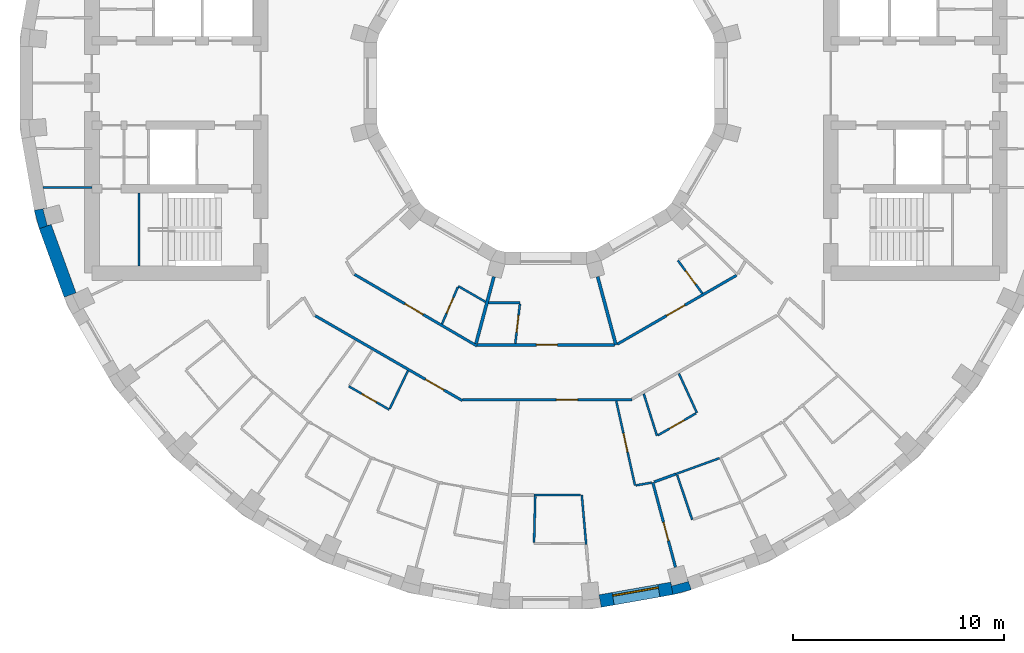
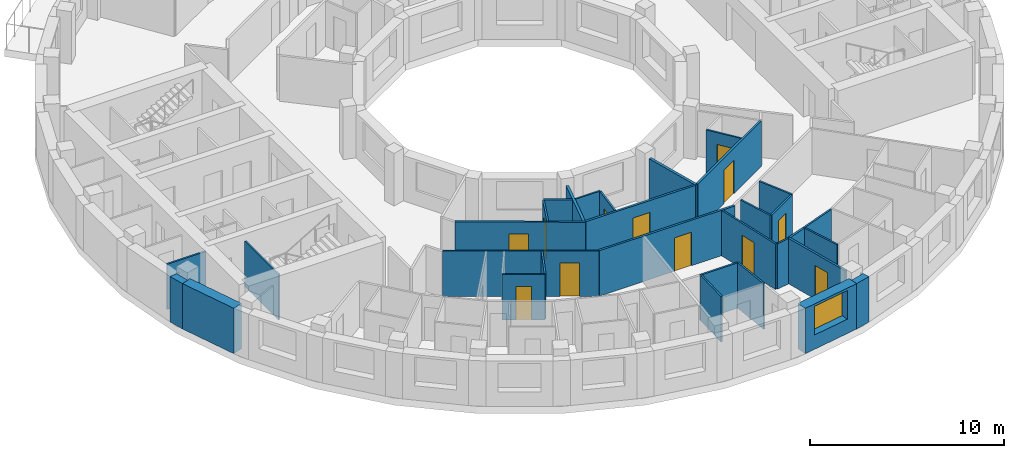
# One storey, part 5 of 14: 32 walls, 12 doors, 1 window, 13 openings.
"""IFC4 building model written with IfcOpenShell, lengths in metres."""

from ifc_helpers import new_model, si_unit, direction, frame, frame_2d, origin, place, context, subcontext, project, spatial, polyline, rectangle, outline, extrude, material, layer, layer_set, type_object, element, fill, save


model = new_model("IFC4")

# Units and contexts
model_context = context("Model", 3, precision=1e-05, world=origin(), true_north=direction((0.0, 1.0)))
body_context = subcontext(model_context, "Body", "Model", "MODEL_VIEW")
ifc_project = project(units=[si_unit("LENGTHUNIT", "METRE"), si_unit("AREAUNIT", "SQUARE_METRE"), si_unit("VOLUMEUNIT", "CUBIC_METRE"), si_unit("PLANEANGLEUNIT", "RADIAN"), si_unit("MASSUNIT", "GRAM", prefix="KILO")], contexts=[model_context])

# Site, building, storey
site_placement = place(None, origin())
site = spatial("IfcSite", under=ifc_project, at=site_placement, CompositionType="ELEMENT")
building_placement = place(site_placement, origin())
building = spatial("IfcBuilding", under=site, at=building_placement, Name="Saqina Gate Tower", CompositionType="ELEMENT")
storey_placement = place(building_placement, frame((0.0, 0.0, 213.60009765625)))
storey = spatial("IfcBuildingStorey", under=building, at=storey_placement, Name="L61", CompositionType="ELEMENT", Elevation=213.60009765625)

# Walls
ifc_material_1 = material(Name="Brick masonry (buff)", Category="masonry")
wall_type_1 = type_object("IfcWallType", Name="BRICK PIER COPING BUFF", PredefinedType="SOLIDWALL", material=ifc_material_1)
wall_1_placement = place(storey_placement, origin())
element("IfcWall", 1, at=wall_1_placement, inside=storey, type_object=wall_type_1, Name="Pier cap L61 column 20", PredefinedType="SOLIDWALL", context=body_context, shape_type="SweptSolid", body=[
    extrude(outline(polyline([(-24.22705078125, -6.0234375), (-23.992919921875, -6.897216796875), (-23.428955078125, -6.69189453125), (-23.610107421875, -6.740478515625), (-23.81689453125, -5.967529296875), (-23.635986328125, -5.919189453125), (-24.22705078125, -6.0234375)])), origin(), (0.0, 0.0, 1.0), 2.849853515625),
])
wall_2_placement = place(storey_placement, origin())
element("IfcWall", 2, at=wall_2_placement, inside=storey, type_object=wall_type_1, Name="Pier cap L61 column 29", PredefinedType="SOLIDWALL", context=body_context, shape_type="SweptSolid", body=[
    extrude(outline(polyline([(6.0234375, -24.22705078125), (6.897216796875, -23.992919921875), (6.69189453125, -23.428955078125), (6.740478515625, -23.610107421875), (5.967529296875, -23.81689453125), (5.919189453125, -23.635986328125), (6.0234375, -24.22705078125)])), origin(), (0.0, 0.0, 1.0), 2.849853515625),
])
ifc_material_2 = material(Name="Gypsum board on steel studs", Category="steel")
ifc_layer_1 = layer(ifc_material_2, 0.10009765625)
ifc_layer_set_1 = layer_set([ifc_layer_1], Name="CORE PARTITION")
wall_type_2 = type_object("IfcWallType", Name="CORE PARTITION", PredefinedType="PARTITIONING", material=ifc_layer_set_1)
wall_3_placement = place(storey_placement, frame((-21.5, -4.949951171875, 0.0), z_axis=(0.0, 0.0, 1.0), x_axis=(-1.0, 0.0, 0.0)))
element("IfcWall", 3, at=wall_3_placement, inside=storey, type_object=wall_type_2, Name="L61-CP-W03", PredefinedType="PARTITIONING", context=body_context, shape_type="SweptSolid", body=[
    extrude(rectangle(XDim=2.306884765625, YDim=0.10009765625, at=frame_2d((1.1533203125, 0.0))), origin(), (0.0, 0.0, 1.0), 2.849853515625),
])

# Wall, opening, window
ifc_material_3 = material(Name="Brick masonry (buff)", Category="masonry")
ifc_layer_2 = layer(ifc_material_3, 0.60009765625)
ifc_layer_set_2 = layer_set([ifc_layer_2], Name="FW-BRICK-BUFF")
wall_type_3 = type_object("IfcWallType", Name="FW-BRICK-BUFF", PredefinedType="SOLIDWALL", material=ifc_layer_set_2)
wall_4_placement = place(storey_placement, frame((2.573974609375, -24.530517578125, 0.0), z_axis=(0.0, 0.0, 1.0), x_axis=(0.984814892183, 0.173607684551, 0.0)))
wall_4 = element("IfcWall", 4, at=wall_4_placement, inside=storey, type_object=wall_type_3, Name="Facade wall L61 facet 28", PredefinedType="SOLIDWALL", context=body_context, shape_type="SweptSolid", body=[
    extrude(rectangle(XDim=3.44970703125, YDim=0.60009765625, at=frame_2d((1.724853515625, 0.0))), origin(), (0.0, 0.0, 1.0), 2.849853515625),
])
opening_1_placement = place(wall_4_placement, frame((0.625, 0.0, 0.89990234375)))
opening_1 = element("IfcOpeningElement", 5, at=opening_1_placement, cuts=wall_4, Name="Opening G18-W17", PredefinedType="OPENING", context=body_context, shape_type="SweptSolid", body=[
    extrude(rectangle(XDim=2.199951171875, YDim=1.800048828125, at=frame_2d((1.10009765625, 0.89990234375))), frame((0.0, 0.31201171875, 0.0), z_axis=(0.0, -1.0, 0.0), x_axis=(1.0, 0.0, 0.0)), (0.0, 0.0, 1.0), 0.6240234375),
])
ifc_material_4 = material(Name="Aluminium glazing", Category="aluminium")
window_type = type_object("IfcWindowType", Name="WN-C", PartitioningType="SINGLE_PANEL", PredefinedType="WINDOW", material=ifc_material_4)
window_placement = place(opening_1_placement, origin())
window = element("IfcWindow", 6, at=window_placement, inside=storey, type_object=window_type, Name="Window L61 facet 28", OverallHeight=1.800048828125, OverallWidth=2.199951171875, PartitioningType="SINGLE_PANEL", PredefinedType="WINDOW", context=body_context, shape_type="SweptSolid", body=[
    extrude(rectangle(XDim=2.199951171875, YDim=1.800048828125, at=frame_2d((1.10009765625, 0.89990234375))), frame((0.0, 0.179931640625, 0.0), z_axis=(0.0, -1.0, 0.0), x_axis=(1.0, 0.0, 0.0)), (0.0, 0.0, 1.0), 0.06005859375),
])
fill(opening_1, window)

# Walls
ifc_material_5 = material(Name="Glazed ceramic tile", Category="ceramic")
ifc_layer_3 = layer(ifc_material_5, 0.60009765625)
ifc_layer_set_3 = layer_set([ifc_layer_3], Name="FW-TILE")
wall_type_4 = type_object("IfcWallType", Name="FW-TILE", PredefinedType="SOLIDWALL", material=ifc_layer_set_3)
wall_5_placement = place(storey_placement, frame((-23.7109375, -6.79443359375, 0.0), z_axis=(0.0, 0.0, 1.0), x_axis=(0.342032843455, -0.93968799822, 0.0)))
element("IfcWall", 7, at=wall_5_placement, inside=storey, type_object=wall_type_4, Name="Facade wall L61 facet 20", PredefinedType="SOLIDWALL", context=body_context, shape_type="SweptSolid", body=[
    extrude(rectangle(XDim=3.44970703125, YDim=0.60009765625, at=frame_2d((1.724853515625, 0.0))), origin(), (0.0, 0.0, 1.0), 2.849853515625),
])
ifc_material_6 = material(Name="Gypsum board on steel studs, 100 mm", Category="steel")
ifc_layer_4 = layer(ifc_material_6, 0.10009765625)
ifc_layer_set_4 = layer_set([ifc_layer_4], Name="PARTITION 100")
wall_type_5 = type_object("IfcWallType", Name="PARTITION 100", PredefinedType="PARTITIONING", material=ifc_layer_set_4)
wall_6_placement = place(storey_placement, frame((1.705078125, -19.505126953125, 0.0), z_axis=(0.0, 0.0, 1.0), x_axis=(0.087875685813, -0.996131449078, 0.0)))
element("IfcWall", 8, at=wall_6_placement, inside=storey, type_object=wall_type_5, Name="PARTITION PW3-01", PredefinedType="PARTITIONING", context=body_context, shape_type="SweptSolid", body=[
    extrude(rectangle(XDim=2.358642578125, YDim=0.10009765625, at=frame_2d((1.17919921875, 0.0))), origin(), (0.0, 0.0, 1.0), 2.849853515625),
])

# Wall, opening, door
wall_7_placement = place(storey_placement, frame((3.33837890625, -15.06103515625, 0.0), z_axis=(0.0, 0.0, 1.0), x_axis=(0.216772684832, -0.976222107469, 0.0)))
wall_7 = element("IfcWall", 9, at=wall_7_placement, inside=storey, type_object=wall_type_5, Name="PARTITION PW3-03", PredefinedType="PARTITIONING", context=body_context, shape_type="SweptSolid", body=[
    extrude(rectangle(XDim=4.09619140625, YDim=0.10009765625, at=frame_2d((2.048095703125, 0.0))), origin(), (0.0, 0.0, 1.0), 2.849853515625),
])
opening_2_placement = place(wall_7_placement, frame((1.56640625, 0.0, 0.0)))
opening_2 = element("IfcOpeningElement", 10, at=opening_2_placement, cuts=wall_7, Name="Opening G18-D46", PredefinedType="OPENING", context=body_context, shape_type="SweptSolid", body=[
    extrude(rectangle(XDim=0.89990234375, YDim=2.10009765625, at=frame_2d((0.449951171875, 1.050048828125))), frame((0.0, 0.06201171875, 0.0), z_axis=(0.0, -1.0, 0.0), x_axis=(1.0, 0.0, 0.0)), (0.0, 0.0, 1.0), 0.1240234375),
])
ifc_material_7 = material(Name="Timber door leaf, 900 mm", Category="wood")
door_type_1 = type_object("IfcDoorType", Name="DOOR 900 TIMBER", OperationType="SINGLE_SWING_LEFT", PredefinedType="DOOR", material=ifc_material_7)
door_1_placement = place(opening_2_placement, frame((0.89990234375, 0.0, 0.0), z_axis=(0.0, 0.0, 1.0), x_axis=(-1.0, 0.0, 0.0)))
door_1 = element("IfcDoor", 11, at=door_1_placement, inside=storey, type_object=door_type_1, Name="DOOR G18-D46", OperationType="SINGLE_SWING_RIGHT", OverallHeight=2.10009765625, OverallWidth=0.89990234375, PredefinedType="DOOR", context=body_context, shape_type="SweptSolid", body=[
    extrude(rectangle(XDim=0.89990234375, YDim=2.10009765625, at=frame_2d((0.449951171875, 1.050048828125))), frame((0.0, 0.02490234375, 0.0), z_axis=(0.0, -1.0, 0.0), x_axis=(1.0, 0.0, 0.0)), (0.0, 0.0, 1.0), 0.050048828125),
])
fill(opening_2, door_1)

# Walls
wall_8_placement = place(storey_placement, frame((4.638916015625, -14.712646484375, 0.0), z_axis=(0.0, 0.0, 1.0), x_axis=(0.300689491928, -0.953722092354, 0.0)))
element("IfcWall", 12, at=wall_8_placement, inside=storey, type_object=wall_type_5, Name="PARTITION PW3-05", PredefinedType="PARTITIONING", context=body_context, shape_type="SweptSolid", body=[
    extrude(rectangle(XDim=2.089111328125, YDim=0.10009765625, at=frame_2d((1.04443359375, 0.0))), origin(), (0.0, 0.0, 1.0), 2.849853515625),
])
wall_9_placement = place(storey_placement, frame((6.222900390625, -18.558349609375, 0.0), z_axis=(0.0, 0.0, 1.0), x_axis=(0.318223462583, -0.948015731864, 0.0)))
element("IfcWall", 13, at=wall_9_placement, inside=storey, type_object=wall_type_5, Name="PARTITION PW3-06", PredefinedType="PARTITIONING", context=body_context, shape_type="SweptSolid", body=[
    extrude(rectangle(XDim=2.238037109375, YDim=0.10009765625, at=frame_2d((1.119140625, 0.0))), origin(), (0.0, 0.0, 1.0), 2.849853515625),
])
wall_10_placement = place(storey_placement, frame((6.303955078125, -13.7529296875, 0.0), z_axis=(0.0, 0.0, 1.0), x_axis=(0.41684777826, -0.90897630869, 0.0)))
element("IfcWall", 14, at=wall_10_placement, inside=storey, type_object=wall_type_5, Name="PARTITION PW3-08", PredefinedType="PARTITIONING", context=body_context, shape_type="SweptSolid", body=[
    extrude(rectangle(XDim=2.04638671875, YDim=0.10009765625, at=frame_2d((1.023193359375, 0.0))), origin(), (0.0, 0.0, 1.0), 2.849853515625),
])

# Wall, opening, door
wall_11_placement = place(storey_placement, frame((6.2548828125, -8.39697265625, 0.0), z_axis=(0.0, 0.0, 1.0), x_axis=(0.597394562497, -0.801947465049, 0.0)))
wall_11 = element("IfcWall", 15, at=wall_11_placement, inside=storey, type_object=wall_type_5, Name="PARTITION PW3-13", PredefinedType="PARTITIONING", context=body_context, shape_type="SweptSolid", body=[
    extrude(rectangle(XDim=1.951416015625, YDim=0.10009765625, at=frame_2d((0.9755859375, 0.0))), origin(), (0.0, 0.0, 1.0), 2.849853515625),
])
opening_3_placement = place(wall_11_placement, frame((0.60693359375, 0.0, 0.0)))
opening_3 = element("IfcOpeningElement", 16, at=opening_3_placement, cuts=wall_11, Name="Opening G18-D53", PredefinedType="OPENING", context=body_context, shape_type="SweptSolid", body=[
    extrude(rectangle(XDim=0.800048828125, YDim=2.10009765625, at=frame_2d((0.39990234375, 1.050048828125))), frame((0.0, 0.06201171875, 0.0), z_axis=(0.0, -1.0, 0.0), x_axis=(1.0, 0.0, 0.0)), (0.0, 0.0, 1.0), 0.1240234375),
])
ifc_material_8 = material(Name="Timber door leaf, 800 mm", Category="wood")
door_type_2 = type_object("IfcDoorType", Name="DOOR 800 TIMBER", OperationType="SINGLE_SWING_LEFT", PredefinedType="DOOR", material=ifc_material_8)
door_2_placement = place(opening_3_placement, frame((0.800048828125, 0.0, 0.0), z_axis=(0.0, 0.0, 1.0), x_axis=(-1.0, 0.0, 0.0)))
door_2 = element("IfcDoor", 17, at=door_2_placement, inside=storey, type_object=door_type_2, Name="DOOR G18-D53", OperationType="SINGLE_SWING_LEFT", OverallHeight=2.10009765625, OverallWidth=0.800048828125, PredefinedType="DOOR", context=body_context, shape_type="SweptSolid", body=[
    extrude(rectangle(XDim=0.800048828125, YDim=2.10009765625, at=frame_2d((0.39990234375, 1.050048828125))), frame((0.0, 0.02490234375, 0.0), z_axis=(0.0, -1.0, 0.0), x_axis=(1.0, 0.0, 0.0)), (0.0, 0.0, 1.0), 0.050048828125),
])
fill(opening_3, door_2)

wall_12_placement = place(storey_placement, frame((-9.325927734375, -14.361083984375, 0.0), z_axis=(0.0, 0.0, 1.0), x_axis=(0.866099077695, -0.499872371326, 0.0)))
wall_12 = element("IfcWall", 18, at=wall_12_placement, inside=storey, type_object=wall_type_5, Name="PARTITION PW3-27", PredefinedType="PARTITIONING", context=body_context, shape_type="SweptSolid", body=[
    extrude(rectangle(XDim=2.20849609375, YDim=0.10009765625, at=frame_2d((1.104248046875, 0.0))), origin(), (0.0, 0.0, 1.0), 2.849853515625),
])
opening_4_placement = place(wall_12_placement, frame((0.704345703125, 0.0, 0.0)))
opening_4 = element("IfcOpeningElement", 19, at=opening_4_placement, cuts=wall_12, Name="Opening G18-D33", PredefinedType="OPENING", context=body_context, shape_type="SweptSolid", body=[
    extrude(rectangle(XDim=0.800048828125, YDim=2.10009765625, at=frame_2d((0.39990234375, 1.050048828125))), frame((0.0, 0.06201171875, 0.0), z_axis=(0.0, -1.0, 0.0), x_axis=(1.0, 0.0, 0.0)), (0.0, 0.0, 1.0), 0.1240234375),
])
door_3_placement = place(opening_4_placement, frame((0.800048828125, 0.0, 0.0), z_axis=(0.0, 0.0, 1.0), x_axis=(-1.0, 0.0, 0.0)))
door_3 = element("IfcDoor", 20, at=door_3_placement, inside=storey, type_object=door_type_2, Name="DOOR G18-D33", OperationType="SINGLE_SWING_LEFT", OverallHeight=2.10009765625, OverallWidth=0.800048828125, PredefinedType="DOOR", context=body_context, shape_type="SweptSolid", body=[
    extrude(rectangle(XDim=0.800048828125, YDim=2.10009765625, at=frame_2d((0.39990234375, 1.050048828125))), frame((0.0, 0.02490234375, 0.0), z_axis=(0.0, -1.0, 0.0), x_axis=(1.0, 0.0, 0.0)), (0.0, 0.0, 1.0), 0.050048828125),
])
fill(opening_4, door_3)

# Walls
wall_13_placement = place(storey_placement, frame((-4.14501953125, -9.615966796875, 0.0), z_axis=(0.0, 0.0, 1.0), x_axis=(0.866000409959, -0.500043288077, 0.0)))
element("IfcWall", 21, at=wall_13_placement, inside=storey, type_object=wall_type_5, Name="PARTITION PW3-28", PredefinedType="PARTITIONING", context=body_context, shape_type="SweptSolid", body=[
    extrude(rectangle(XDim=1.492919921875, YDim=0.10009765625, at=frame_2d((0.74658203125, 0.0))), origin(), (0.0, 0.0, 1.0), 2.849853515625),
])
wall_14_placement = place(storey_placement, frame((-0.548095703125, -19.5048828125, 0.0), z_axis=(0.0, 0.0, 1.0), x_axis=(1.0, 0.0, 0.0)))
element("IfcWall", 22, at=wall_14_placement, inside=storey, type_object=wall_type_5, Name="PARTITION PW3-43", PredefinedType="PARTITIONING", context=body_context, shape_type="SweptSolid", body=[
    extrude(rectangle(XDim=2.2021484375, YDim=0.10009765625, at=frame_2d((1.10107421875, 0.0))), origin(), (0.0, 0.0, 1.0), 2.849853515625),
])
wall_15_placement = place(storey_placement, frame((-2.7119140625, -10.39990234375, 0.0), z_axis=(0.0, 0.0, 1.0), x_axis=(1.0, 0.0, 0.0)))
element("IfcWall", 23, at=wall_15_placement, inside=storey, type_object=wall_type_5, Name="PARTITION PW3-44", PredefinedType="PARTITIONING", context=body_context, shape_type="SweptSolid", body=[
    extrude(rectangle(XDim=1.492919921875, YDim=0.10009765625, at=frame_2d((0.74658203125, 0.0))), origin(), (0.0, 0.0, 1.0), 2.849853515625),
])
wall_16_placement = place(storey_placement, frame((4.2763671875, -19.051513671875, 0.0), z_axis=(0.0, 0.0, 1.0), x_axis=(0.984820011125, 0.173578644101, 0.0)))
element("IfcWall", 24, at=wall_16_placement, inside=storey, type_object=wall_type_5, Name="PARTITION PW3-48", PredefinedType="PARTITIONING", context=body_context, shape_type="SweptSolid", body=[
    extrude(rectangle(XDim=0.7412109375, YDim=0.10009765625, at=frame_2d((0.37060546875, 0.0))), origin(), (0.0, 0.0, 1.0), 2.849853515625),
])
wall_17_placement = place(storey_placement, frame((6.156005859375, -18.51611328125, 0.0), z_axis=(0.0, 0.0, 1.0), x_axis=(0.939728749343, 0.341920864613, 0.0)))
element("IfcWall", 25, at=wall_17_placement, inside=storey, type_object=wall_type_5, Name="PARTITION PW3-51", PredefinedType="PARTITIONING", context=body_context, shape_type="SweptSolid", body=[
    extrude(rectangle(XDim=2.204833984375, YDim=0.10009765625, at=frame_2d((1.1025390625, 0.0))), origin(), (0.0, 0.0, 1.0), 2.849853515625),
])

# Wall, opening, door
wall_18_placement = place(storey_placement, frame((5.310302734375, -16.679931640625, 0.0), z_axis=(0.0, 0.0, 1.0), x_axis=(0.865867329874, 0.500273692149, 0.0)))
wall_18 = element("IfcWall", 26, at=wall_18_placement, inside=storey, type_object=wall_type_5, Name="PARTITION PW3-57", PredefinedType="PARTITIONING", context=body_context, shape_type="SweptSolid", body=[
    extrude(rectangle(XDim=2.082763671875, YDim=0.10009765625, at=frame_2d((1.04150390625, 0.0))), origin(), (0.0, 0.0, 1.0), 2.849853515625),
])
opening_5_placement = place(wall_18_placement, frame((0.641357421875, 0.0, 0.0)))
opening_5 = element("IfcOpeningElement", 27, at=opening_5_placement, cuts=wall_18, Name="Opening G18-D48", PredefinedType="OPENING", context=body_context, shape_type="SweptSolid", body=[
    extrude(rectangle(XDim=0.800048828125, YDim=2.10009765625, at=frame_2d((0.39990234375, 1.050048828125))), frame((0.0, 0.06201171875, 0.0), z_axis=(0.0, -1.0, 0.0), x_axis=(1.0, 0.0, 0.0)), (0.0, 0.0, 1.0), 0.1240234375),
])
door_4_placement = place(opening_5_placement, frame((0.800048828125, 0.0, 0.0), z_axis=(0.0, 0.0, 1.0), x_axis=(-1.0, 0.0, 0.0)))
door_4 = element("IfcDoor", 28, at=door_4_placement, inside=storey, type_object=door_type_2, Name="DOOR G18-D48", OperationType="SINGLE_SWING_LEFT", OverallHeight=2.10009765625, OverallWidth=0.800048828125, PredefinedType="DOOR", context=body_context, shape_type="SweptSolid", body=[
    extrude(rectangle(XDim=0.800048828125, YDim=2.10009765625, at=frame_2d((0.39990234375, 1.050048828125))), frame((0.0, 0.02490234375, 0.0), z_axis=(0.0, -1.0, 0.0), x_axis=(1.0, 0.0, 0.0)), (0.0, 0.0, 1.0), 0.050048828125),
])
fill(opening_5, door_4)

# Wall
wall_19_placement = place(storey_placement, frame((-7.391357421875, -15.419921875, 0.0), z_axis=(0.0, 0.0, 1.0), x_axis=(0.432109804396, 0.901821000501, 0.0)))
element("IfcWall", 29, at=wall_19_placement, inside=storey, type_object=wall_type_5, Name="PARTITION PW3-78", PredefinedType="PARTITIONING", context=body_context, shape_type="SweptSolid", body=[
    extrude(rectangle(XDim=1.993408203125, YDim=0.10009765625, at=frame_2d((0.99658203125, 0.0))), origin(), (0.0, 0.0, 1.0), 2.849853515625),
])

# Wall, opening, door
wall_20_placement = place(storey_placement, frame((-4.917236328125, -11.40771484375, 0.0), z_axis=(0.0, 0.0, 1.0), x_axis=(0.395793869696, 0.918339377742, 0.0)))
wall_20 = element("IfcWall", 30, at=wall_20_placement, inside=storey, type_object=wall_type_5, Name="PARTITION PW3-81", PredefinedType="PARTITIONING", context=body_context, shape_type="SweptSolid", body=[
    extrude(rectangle(XDim=1.901123046875, YDim=0.10009765625, at=frame_2d((0.95068359375, 0.0))), origin(), (0.0, 0.0, 1.0), 2.849853515625),
])
opening_6_placement = place(wall_20_placement, frame((0.544189453125, 0.0, 0.0)))
opening_6 = element("IfcOpeningElement", 31, at=opening_6_placement, cuts=wall_20, Name="Opening G18-D35", PredefinedType="OPENING", context=body_context, shape_type="SweptSolid", body=[
    extrude(rectangle(XDim=0.800048828125, YDim=2.10009765625, at=frame_2d((0.39990234375, 1.050048828125))), frame((0.0, 0.06201171875, 0.0), z_axis=(0.0, -1.0, 0.0), x_axis=(1.0, 0.0, 0.0)), (0.0, 0.0, 1.0), 0.1240234375),
])
door_5_placement = place(opening_6_placement, origin())
door_5 = element("IfcDoor", 32, at=door_5_placement, inside=storey, type_object=door_type_2, Name="DOOR G18-D35", OperationType="SINGLE_SWING_LEFT", OverallHeight=2.10009765625, OverallWidth=0.800048828125, PredefinedType="DOOR", context=body_context, shape_type="SweptSolid", body=[
    extrude(rectangle(XDim=0.800048828125, YDim=2.10009765625, at=frame_2d((0.39990234375, 1.050048828125))), frame((0.0, 0.02490234375, 0.0), z_axis=(0.0, -1.0, 0.0), x_axis=(1.0, 0.0, 0.0)), (0.0, 0.0, 1.0), 0.050048828125),
])
fill(opening_6, door_5)

wall_21_placement = place(storey_placement, frame((-1.44580078125, -12.337890625, 0.0), z_axis=(0.0, 0.0, 1.0), x_axis=(0.116222778511, 0.993223170166, 0.0)))
wall_21 = element("IfcWall", 33, at=wall_21_placement, inside=storey, type_object=wall_type_5, Name="PARTITION PW3-90", PredefinedType="PARTITIONING", context=body_context, shape_type="SweptSolid", body=[
    extrude(rectangle(XDim=1.901123046875, YDim=0.10009765625, at=frame_2d((0.95068359375, 0.0))), origin(), (0.0, 0.0, 1.0), 2.849853515625),
])
opening_7_placement = place(wall_21_placement, frame((0.544189453125, 0.0, 0.0)))
opening_7 = element("IfcOpeningElement", 34, at=opening_7_placement, cuts=wall_21, Name="Opening G18-D41", PredefinedType="OPENING", context=body_context, shape_type="SweptSolid", body=[
    extrude(rectangle(XDim=0.800048828125, YDim=2.10009765625, at=frame_2d((0.39990234375, 1.050048828125))), frame((0.0, 0.06201171875, 0.0), z_axis=(0.0, -1.0, 0.0), x_axis=(1.0, 0.0, 0.0)), (0.0, 0.0, 1.0), 0.1240234375),
])
door_6_placement = place(opening_7_placement, frame((0.800048828125, 0.0, 0.0), z_axis=(0.0, 0.0, 1.0), x_axis=(-1.0, 0.0, 0.0)))
door_6 = element("IfcDoor", 35, at=door_6_placement, inside=storey, type_object=door_type_2, Name="DOOR G18-D41", OperationType="SINGLE_SWING_RIGHT", OverallHeight=2.10009765625, OverallWidth=0.800048828125, PredefinedType="DOOR", context=body_context, shape_type="SweptSolid", body=[
    extrude(rectangle(XDim=0.800048828125, YDim=2.10009765625, at=frame_2d((0.39990234375, 1.050048828125))), frame((0.0, 0.02490234375, 0.0), z_axis=(0.0, -1.0, 0.0), x_axis=(1.0, 0.0, 0.0)), (0.0, 0.0, 1.0), 0.050048828125),
])
fill(opening_7, door_6)

# Wall
wall_22_placement = place(storey_placement, frame((-0.5556640625, -21.755126953125, 0.0), z_axis=(0.0, 0.0, 1.0), x_axis=(0.025658328011, 0.999670770906, 0.0)))
element("IfcWall", 36, at=wall_22_placement, inside=storey, type_object=wall_type_5, Name="PARTITION PW3-92", PredefinedType="PARTITIONING", context=body_context, shape_type="SweptSolid", body=[
    extrude(rectangle(XDim=2.1884765625, YDim=0.10009765625, at=frame_2d((1.09423828125, 0.0))), origin(), (0.0, 0.0, 1.0), 2.849853515625),
])

# Wall, opening, door
ifc_material_9 = material(Name="Gypsum board on steel studs, 125 mm, fire rated", Category="steel")
ifc_layer_5 = layer(ifc_material_9, 0.125)
ifc_layer_set_5 = layer_set([ifc_layer_5], Name="PARTITION EI 30 125")
wall_type_6 = type_object("IfcWallType", Name="PARTITION EI 30 125", PredefinedType="PARTITIONING", material=ifc_layer_set_5)
wall_23_placement = place(storey_placement, frame((5.068115234375, -18.912109375, 0.0), z_axis=(0.0, 0.0, 1.0), x_axis=(0.258780082079, -0.965936265557, 0.0)))
wall_23 = element("IfcWall", 37, at=wall_23_placement, inside=storey, type_object=wall_type_6, Name="PARTITION PW1-03", PredefinedType="PARTITIONING", context=body_context, shape_type="SweptSolid", body=[
    extrude(rectangle(XDim=4.160400390625, YDim=0.125, at=frame_2d((2.080078125, 0.0))), origin(), (0.0, 0.0, 1.0), 2.849853515625),
])
opening_8_placement = place(wall_23_placement, frame((1.958984375, 0.0, 0.0)))
opening_8 = element("IfcOpeningElement", 38, at=opening_8_placement, cuts=wall_23, Name="Opening G18-D47", PredefinedType="OPENING", context=body_context, shape_type="SweptSolid", body=[
    extrude(rectangle(XDim=0.89990234375, YDim=2.10009765625, at=frame_2d((0.449951171875, 1.050048828125))), frame((0.0, 0.074462890625, 0.0), z_axis=(0.0, -1.0, 0.0), x_axis=(1.0, 0.0, 0.0)), (0.0, 0.0, 1.0), 0.14892578125),
])
ifc_material_10 = material(Name="Fire door leaf EI 30, 900 mm")
door_type_3 = type_object("IfcDoorType", Name="DOOR 900 EI 30", OperationType="SINGLE_SWING_LEFT", PredefinedType="DOOR", material=ifc_material_10)
door_7_placement = place(opening_8_placement, frame((0.89990234375, 0.0, 0.0), z_axis=(0.0, 0.0, 1.0), x_axis=(-1.0, 0.0, 0.0)))
door_7 = element("IfcDoor", 39, at=door_7_placement, inside=storey, type_object=door_type_3, Name="DOOR G18-D47", OperationType="SINGLE_SWING_LEFT", OverallHeight=2.10009765625, OverallWidth=0.89990234375, PredefinedType="DOOR", context=body_context, shape_type="SweptSolid", body=[
    extrude(rectangle(XDim=0.89990234375, YDim=2.10009765625, at=frame_2d((0.449951171875, 1.050048828125))), frame((0.0, 0.02490234375, 0.0), z_axis=(0.0, -1.0, 0.0), x_axis=(1.0, 0.0, 0.0)), (0.0, 0.0, 1.0), 0.050048828125),
])
fill(opening_8, door_7)

wall_24_placement = place(storey_placement, frame((-9.064453125, -9.0556640625, 0.0), z_axis=(0.0, 0.0, 1.0), x_axis=(0.863361054342, -0.504586652464, 0.0)))
wall_24 = element("IfcWall", 40, at=wall_24_placement, inside=storey, type_object=wall_type_6, Name="PARTITION PW1-17", PredefinedType="PARTITIONING", context=body_context, shape_type="SweptSolid", body=[
    extrude(rectangle(XDim=6.722412109375, YDim=0.125, at=frame_2d((3.361328125, 0.0))), origin(), (0.0, 0.0, 1.0), 2.849853515625),
])
opening_9_placement = place(wall_24_placement, frame((2.771484375, 0.0, 0.0)))
opening_9 = element("IfcOpeningElement", 41, at=opening_9_placement, cuts=wall_24, Name="Opening G18-D32", PredefinedType="OPENING", context=body_context, shape_type="SweptSolid", body=[
    extrude(rectangle(XDim=1.0, YDim=2.10009765625, at=frame_2d((0.5, 1.050048828125))), frame((0.0, 0.074462890625, 0.0), z_axis=(0.0, -1.0, 0.0), x_axis=(1.0, 0.0, 0.0)), (0.0, 0.0, 1.0), 0.14892578125),
])
ifc_material_11 = material(Name="Fire door leaf EI 30, 1000 mm")
door_type_4 = type_object("IfcDoorType", Name="DOOR 1000 EI 30", OperationType="SINGLE_SWING_LEFT", PredefinedType="DOOR", material=ifc_material_11)
door_8_placement = place(opening_9_placement, origin())
door_8 = element("IfcDoor", 42, at=door_8_placement, inside=storey, type_object=door_type_4, Name="DOOR G18-D32", OperationType="SINGLE_SWING_LEFT", OverallHeight=2.10009765625, OverallWidth=1.0, PredefinedType="DOOR", context=body_context, shape_type="SweptSolid", body=[
    extrude(rectangle(XDim=1.0, YDim=2.10009765625, at=frame_2d((0.5, 1.050048828125))), frame((0.0, 0.02490234375, 0.0), z_axis=(0.0, -1.0, 0.0), x_axis=(1.0, 0.0, 0.0)), (0.0, 0.0, 1.0), 0.050048828125),
])
fill(opening_9, door_8)

wall_25_placement = place(storey_placement, frame((-10.9267578125, -11.01220703125, 0.0), z_axis=(0.0, 0.0, 1.0), x_axis=(0.866043138087, -0.49996928203, 0.0)))
wall_25 = element("IfcWall", 43, at=wall_25_placement, inside=storey, type_object=wall_type_6, Name="PARTITION PW1-20", PredefinedType="PARTITIONING", context=body_context, shape_type="SweptSolid", body=[
    extrude(rectangle(XDim=8.04833984375, YDim=0.125, at=frame_2d((4.024169921875, 0.0))), origin(), (0.0, 0.0, 1.0), 2.849853515625),
])
opening_10_placement = place(wall_25_placement, frame((6.042236328125, 0.0, 0.0)))
opening_10 = element("IfcOpeningElement", 44, at=opening_10_placement, cuts=wall_25, Name="Opening G18-D37", PredefinedType="OPENING", context=body_context, shape_type="SweptSolid", body=[
    extrude(rectangle(XDim=1.0, YDim=2.10009765625, at=frame_2d((0.5, 1.050048828125))), frame((0.0, 0.074462890625, 0.0), z_axis=(0.0, -1.0, 0.0), x_axis=(1.0, 0.0, 0.0)), (0.0, 0.0, 1.0), 0.14892578125),
])
door_9_placement = place(opening_10_placement, frame((1.0, 0.0, 0.0), z_axis=(0.0, 0.0, 1.0), x_axis=(-1.0, 0.0, 0.0)))
door_9 = element("IfcDoor", 45, at=door_9_placement, inside=storey, type_object=door_type_4, Name="DOOR G18-D37", OperationType="SINGLE_SWING_LEFT", OverallHeight=2.10009765625, OverallWidth=1.0, PredefinedType="DOOR", context=body_context, shape_type="SweptSolid", body=[
    extrude(rectangle(XDim=1.0, YDim=2.10009765625, at=frame_2d((0.5, 1.050048828125))), frame((0.0, 0.02490234375, 0.0), z_axis=(0.0, -1.0, 0.0), x_axis=(1.0, 0.0, 0.0)), (0.0, 0.0, 1.0), 0.050048828125),
])
fill(opening_10, door_9)

wall_26_placement = place(storey_placement, frame((-3.95654296875, -15.0, 0.0), z_axis=(0.0, 0.0, 1.0), x_axis=(1.0, 0.0, 0.0)))
wall_26 = element("IfcWall", 46, at=wall_26_placement, inside=storey, type_object=wall_type_6, Name="PARTITION PW1-28", PredefinedType="PARTITIONING", context=body_context, shape_type="SweptSolid", body=[
    extrude(rectangle(XDim=8.047607421875, YDim=0.125, at=frame_2d((4.02392578125, 0.0))), origin(), (0.0, 0.0, 1.0), 2.849853515625),
])
opening_11_placement = place(wall_26_placement, frame((4.462890625, 0.0, 0.0)))
opening_11 = element("IfcOpeningElement", 47, at=opening_11_placement, cuts=wall_26, Name="Opening G18-D44", PredefinedType="OPENING", context=body_context, shape_type="SweptSolid", body=[
    extrude(rectangle(XDim=1.0, YDim=2.10009765625, at=frame_2d((0.5, 1.050048828125))), frame((0.0, 0.074462890625, 0.0), z_axis=(0.0, -1.0, 0.0), x_axis=(1.0, 0.0, 0.0)), (0.0, 0.0, 1.0), 0.14892578125),
])
door_10_placement = place(opening_11_placement, frame((1.0, 0.0, 0.0), z_axis=(0.0, 0.0, 1.0), x_axis=(-1.0, 0.0, 0.0)))
door_10 = element("IfcDoor", 48, at=door_10_placement, inside=storey, type_object=door_type_4, Name="DOOR G18-D44", OperationType="SINGLE_SWING_LEFT", OverallHeight=2.10009765625, OverallWidth=1.0, PredefinedType="DOOR", context=body_context, shape_type="SweptSolid", body=[
    extrude(rectangle(XDim=1.0, YDim=2.10009765625, at=frame_2d((0.5, 1.050048828125))), frame((0.0, 0.02490234375, 0.0), z_axis=(0.0, -1.0, 0.0), x_axis=(1.0, 0.0, 0.0)), (0.0, 0.0, 1.0), 0.050048828125),
])
fill(opening_11, door_10)

wall_27_placement = place(storey_placement, frame((-3.260498046875, -12.39990234375, 0.0), z_axis=(0.0, 0.0, 1.0), x_axis=(1.0, 0.0, 0.0)))
wall_27 = element("IfcWall", 49, at=wall_27_placement, inside=storey, type_object=wall_type_6, Name="PARTITION PW1-29", PredefinedType="PARTITIONING", context=body_context, shape_type="SweptSolid", body=[
    extrude(rectangle(XDim=6.508544921875, YDim=0.125, at=frame_2d((3.25439453125, 0.0))), origin(), (0.0, 0.0, 1.0), 2.849853515625),
])
opening_12_placement = place(wall_27_placement, frame((2.81103515625, 0.0, 0.0)))
opening_12 = element("IfcOpeningElement", 50, at=opening_12_placement, cuts=wall_27, Name="Opening G18-D42", PredefinedType="OPENING", context=body_context, shape_type="SweptSolid", body=[
    extrude(rectangle(XDim=1.0, YDim=2.10009765625, at=frame_2d((0.5, 1.050048828125))), frame((0.0, 0.074462890625, 0.0), z_axis=(0.0, -1.0, 0.0), x_axis=(1.0, 0.0, 0.0)), (0.0, 0.0, 1.0), 0.14892578125),
])
door_11_placement = place(opening_12_placement, origin())
door_11 = element("IfcDoor", 51, at=door_11_placement, inside=storey, type_object=door_type_4, Name="DOOR G18-D42", OperationType="SINGLE_SWING_RIGHT", OverallHeight=2.10009765625, OverallWidth=1.0, PredefinedType="DOOR", context=body_context, shape_type="SweptSolid", body=[
    extrude(rectangle(XDim=1.0, YDim=2.10009765625, at=frame_2d((0.5, 1.050048828125))), frame((0.0, 0.02490234375, 0.0), z_axis=(0.0, -1.0, 0.0), x_axis=(1.0, 0.0, 0.0)), (0.0, 0.0, 1.0), 0.050048828125),
])
fill(opening_12, door_11)

# Wall
wall_28_placement = place(storey_placement, frame((5.126708984375, -18.890869140625, 0.0), z_axis=(0.0, 0.0, 1.0), x_axis=(0.939656692784, 0.342118838573, 0.0)))
element("IfcWall", 52, at=wall_28_placement, inside=storey, type_object=wall_type_6, Name="PARTITION PW1-33", PredefinedType="PARTITIONING", context=body_context, shape_type="SweptSolid", body=[
    extrude(rectangle(XDim=1.095458984375, YDim=0.125, at=frame_2d((0.5478515625, 0.0))), origin(), (0.0, 0.0, 1.0), 2.849853515625),
])

# Wall, opening, door
wall_29_placement = place(storey_placement, frame((3.387939453125, -12.362548828125, 0.0), z_axis=(0.0, 0.0, 1.0), x_axis=(0.865964185, 0.500106019056, 0.0)))
wall_29 = element("IfcWall", 53, at=wall_29_placement, inside=storey, type_object=wall_type_6, Name="PARTITION PW1-37", PredefinedType="PARTITIONING", context=body_context, shape_type="SweptSolid", body=[
    extrude(rectangle(XDim=6.51953125, YDim=0.125, at=frame_2d((3.259765625, 0.0))), origin(), (0.0, 0.0, 1.0), 2.849853515625),
])
opening_13_placement = place(wall_29_placement, frame((2.6962890625, 0.0, 0.0)))
opening_13 = element("IfcOpeningElement", 54, at=opening_13_placement, cuts=wall_29, Name="Opening G18-D51", PredefinedType="OPENING", context=body_context, shape_type="SweptSolid", body=[
    extrude(rectangle(XDim=1.0, YDim=2.10009765625, at=frame_2d((0.5, 1.050048828125))), frame((0.0, 0.074462890625, 0.0), z_axis=(0.0, -1.0, 0.0), x_axis=(1.0, 0.0, 0.0)), (0.0, 0.0, 1.0), 0.14892578125),
])
door_12_placement = place(opening_13_placement, origin())
door_12 = element("IfcDoor", 55, at=door_12_placement, inside=storey, type_object=door_type_4, Name="DOOR G18-D51", OperationType="SINGLE_SWING_LEFT", OverallHeight=2.10009765625, OverallWidth=1.0, PredefinedType="DOOR", context=body_context, shape_type="SweptSolid", body=[
    extrude(rectangle(XDim=1.0, YDim=2.10009765625, at=frame_2d((0.5, 1.050048828125))), frame((0.0, 0.02490234375, 0.0), z_axis=(0.0, -1.0, 0.0), x_axis=(1.0, 0.0, 0.0)), (0.0, 0.0, 1.0), 0.050048828125),
])
fill(opening_13, door_12)

# Walls
ifc_material_12 = material(Name="Gypsum board on steel studs, 150 mm, fire rated", Category="steel")
ifc_layer_6 = layer(ifc_material_12, 0.14990234375)
ifc_layer_set_6 = layer_set([ifc_layer_6], Name="PARTITION EI 60 150")
wall_type_7 = type_object("IfcWallType", Name="PARTITION EI 60 150", PredefinedType="PARTITIONING", material=ifc_layer_set_6)
wall_30_placement = place(storey_placement, frame((2.455810546875, -9.1689453125, 0.0), z_axis=(0.0, 0.0, 1.0), x_axis=(0.259224872447, -0.965816993796, 0.0)))
element("IfcWall", 56, at=wall_30_placement, inside=storey, type_object=wall_type_7, Name="PARTITION PW2-02", PredefinedType="PARTITIONING", context=body_context, shape_type="SweptSolid", body=[
    extrude(rectangle(XDim=3.34521484375, YDim=0.14990234375, at=frame_2d((1.672607421875, 0.0))), origin(), (0.0, 0.0, 1.0), 2.849853515625),
])
wall_31_placement = place(storey_placement, frame((-3.30615234375, -12.33984375, 0.0), z_axis=(0.0, 0.0, 1.0), x_axis=(0.258514270355, 0.966007438907, 0.0)))
element("IfcWall", 57, at=wall_31_placement, inside=storey, type_object=wall_type_7, Name="PARTITION PW2-05", PredefinedType="PARTITIONING", context=body_context, shape_type="SweptSolid", body=[
    extrude(rectangle(XDim=3.28271484375, YDim=0.14990234375, at=frame_2d((1.641357421875, 0.0))), origin(), (0.0, 0.0, 1.0), 2.849853515625),
])
ifc_material_13 = material(Name="Autoclaved aerated concrete block", Category="concrete")
ifc_layer_7 = layer(ifc_material_13, 0.10009765625)
ifc_layer_set_7 = layer_set([ifc_layer_7], Name="STAIR ENCLOSURE WALL")
wall_type_8 = type_object("IfcWallType", Name="STAIR ENCLOSURE WALL", PredefinedType="PARTITIONING", material=ifc_layer_set_7)
wall_32_placement = place(storey_placement, frame((-19.27001953125, -8.64990234375, 0.0), z_axis=(0.0, 0.0, 1.0), x_axis=(0.0, 1.0, 0.0)))
element("IfcWall", 58, at=wall_32_placement, inside=storey, type_object=wall_type_8, Name="L61-CP-W15", PredefinedType="PARTITIONING", context=body_context, shape_type="SweptSolid", body=[
    extrude(rectangle(XDim=3.449951171875, YDim=0.10009765625, at=frame_2d((1.72509765625, 0.0))), origin(), (0.0, 0.0, 1.0), 2.849853515625),
])

save(model, "model.ifc")
